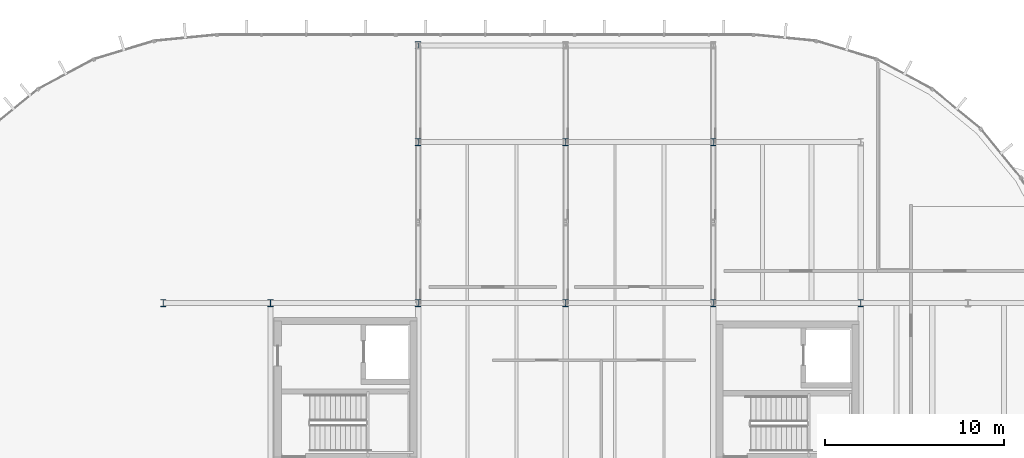
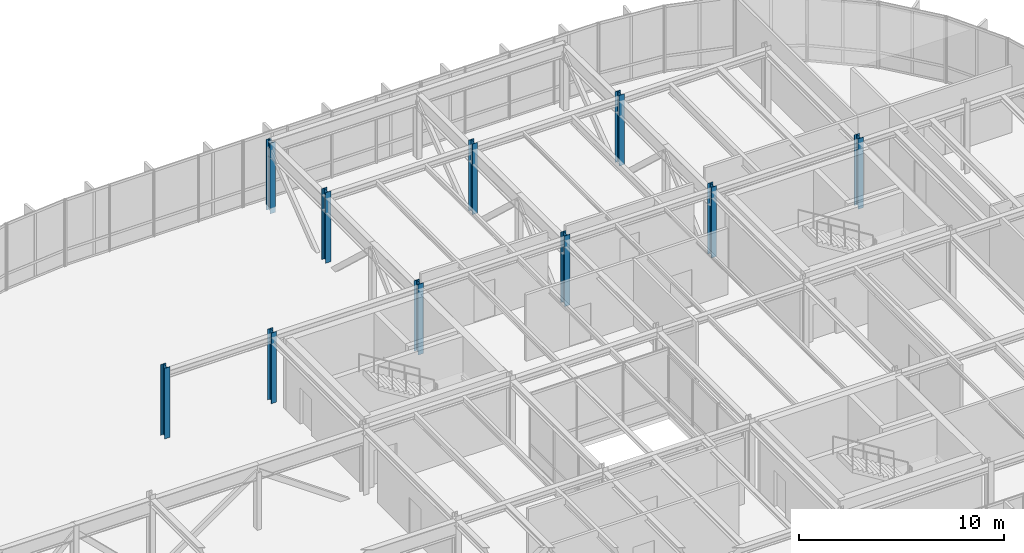
# One storey, part 3 of 29: 10 columns.
"""IFC4 building model written with IfcOpenShell, lengths in metres."""

import ifcopenshell
import ifcopenshell.guid

model = None  # the IFC model being written
_history = None  # IfcOwnerHistory: only IFC2X3 demands one
_inside = {}  # id of a spatial element -> (the spatial element, [elements in it])
_under = {}  # id of a project, library or spatial element -> (it, [spatial elements below it])
_declared = {}  # id of a project -> (the project, [libraries it declares])
_typed = {}  # id of a type object -> (the type object, [elements of that type])
_made_of = {}  # id of a material, layer set ... -> (it, [elements and type objects made of it])


def new_model(schema):
    """Start an empty IFC model of exactly this schema.

    Asked for "IFC4X3", IfcOpenShell would pick the latest addendum, in which some entities
    have other attributes; the version numbers below select the first issue.
    IFC2X3 requires an IfcOwnerHistory on every rooted entity: one is made here for all.
    """
    global model, _history
    if schema == "IFC4X3":
        model = ifcopenshell.file(schema_version=(4, 3, 0, 0))
    else:
        model = ifcopenshell.file(schema=schema)
    _inside.clear()
    _under.clear()
    _declared.clear()
    _typed.clear()
    _made_of.clear()
    _history = None
    if model.schema == "IFC2X3":
        org = make("IfcOrganization", Name="unknown")
        user = make(
            "IfcPersonAndOrganization",
            ThePerson=make("IfcPerson", FamilyName="unknown"),
            TheOrganization=org,
        )
        app = make(
            "IfcApplication",
            ApplicationDeveloper=org,
            Version="unknown",
            ApplicationFullName="unknown",
            ApplicationIdentifier="unknown",
        )
        _history = make(
            "IfcOwnerHistory",
            OwningUser=user,
            OwningApplication=app,
            ChangeAction="ADDED",
            CreationDate=0,
        )
    return model


def make(cls, **values):
    """One entity of the class cls with the attributes given. An attribute that is None is left unset."""
    return model.create_entity(
        cls, **{name: value for name, value in values.items() if value is not None}
    )


def rooted(cls, **values):
    """An entity with a GlobalId (a new one), such as an element, a storey or a relation."""
    return make(cls, GlobalId=ifcopenshell.guid.new(), OwnerHistory=_history, **values)


def si_unit(unit_type, name, prefix=None):
    """IfcSIUnit, for example si_unit("LENGTHUNIT", "METRE", prefix="MILLI")."""
    return make("IfcSIUnit", UnitType=unit_type, Prefix=prefix, Name=name)


def assignment(units):
    """IfcUnitAssignment: the units of a project."""
    return None if units is None else make("IfcUnitAssignment", Units=units)


def point(xyz):
    """IfcCartesianPoint."""
    return None if xyz is None else make("IfcCartesianPoint", Coordinates=xyz)


def direction(xyz):
    """IfcDirection."""
    return None if xyz is None else make("IfcDirection", DirectionRatios=xyz)


def frame(location, z_axis=None, x_axis=None):
    """IfcAxis2Placement3D, a coordinate frame: its origin and axes. An axis left out is left unset."""
    return make(
        "IfcAxis2Placement3D",
        Location=point(location),
        Axis=direction(z_axis),
        RefDirection=direction(x_axis),
    )


def frame_2d(location, x_axis=None):
    """IfcAxis2Placement2D, a coordinate frame in the plane: its origin and x axis."""
    return make(
        "IfcAxis2Placement2D", Location=point(location), RefDirection=direction(x_axis)
    )


def origin():
    """The frame at (0, 0, 0) with its axes left unset."""
    return frame((0.0, 0.0, 0.0))


def origin_2d():
    """The frame at (0, 0) in the plane with its x axis left unset."""
    return frame_2d((0.0, 0.0))


def place(relative_to, where):
    """IfcLocalPlacement: puts the frame where relative to a parent placement (None: the world)."""
    return make(
        "IfcLocalPlacement", PlacementRelTo=relative_to, RelativePlacement=where
    )


def context(
    kind, dimensions, precision=None, world=None, true_north=None, identifier=None
):
    """IfcGeometricRepresentationContext, for example the 3D "Model" context."""
    return make(
        "IfcGeometricRepresentationContext",
        ContextIdentifier=identifier,
        ContextType=kind,
        CoordinateSpaceDimension=dimensions,
        Precision=precision,
        WorldCoordinateSystem=world,
        TrueNorth=true_north,
    )


def subcontext(parent, identifier, kind, view, scale=None):
    """IfcGeometricRepresentationSubContext, for example "Body" below "Model"."""
    return make(
        "IfcGeometricRepresentationSubContext",
        ContextIdentifier=identifier,
        ContextType=kind,
        ParentContext=parent,
        TargetScale=scale,
        TargetView=view,
    )


def project(units=None, contexts=None):
    """IfcProject with its units and contexts."""
    return rooted(
        "IfcProject",
        Name="project",
        RepresentationContexts=contexts,
        UnitsInContext=assignment(units),
    )


def spatial(cls, under=None, at=None, **own):
    """A site, building, storey or space (cls), placed at a placement, below another one or the project."""
    s = rooted(cls, ObjectPlacement=at, **own)
    if under is not None:
        _under.setdefault(under.id(), (under, []))[1].append(s)
    return s


def profile(cls, at=None, kind="AREA", **sizes):
    """A parametric profile (cls). Its sizes go by their IFC names, for example OverallWidth=200.0."""
    return make(cls, ProfileType=kind, Position=at, **sizes)


def i_section(**sizes):
    """IfcIShapeProfileDef."""
    return profile("IfcIShapeProfileDef", **sizes)


def extrude(swept, where, along, depth):
    """IfcExtrudedAreaSolid: the profile swept, set in the frame where, extruded along a direction by depth."""
    return make(
        "IfcExtrudedAreaSolid",
        SweptArea=swept,
        Position=where,
        ExtrudedDirection=direction(along),
        Depth=depth,
    )


def shape(context_of_items, identifier, shape_type, items):
    """IfcShapeRepresentation: the items that make up one representation, for example the "Body"."""
    return make(
        "IfcShapeRepresentation",
        ContextOfItems=context_of_items,
        RepresentationIdentifier=identifier,
        RepresentationType=shape_type,
        Items=items,
    )


def material(Name=None, Category=None):
    """IfcMaterial."""
    return make("IfcMaterial", Name=Name, Category=Category)


def material_profile(
    of_material, cross_section, Name=None, Category=None, Priority=None
):
    """IfcMaterialProfile: a cross section and its material."""
    return make(
        "IfcMaterialProfile",
        Name=Name,
        Material=of_material,
        Profile=cross_section,
        Priority=Priority,
        Category=Category,
    )


def profile_set(profiles, Name=None, composite=None):
    """IfcMaterialProfileSet."""
    return make(
        "IfcMaterialProfileSet",
        Name=Name,
        MaterialProfiles=profiles,
        CompositeProfile=composite,
    )


def made_of(thing, what):
    """Note that an element or type object is made of a material, layer set ...; save() writes the relation."""
    if what is not None:
        _made_of.setdefault(what.id(), (what, []))[1].append(thing)
    return thing


def type_object(cls, material=None, **own):
    """A type object (cls), such as IfcWallType, which elements share."""
    return made_of(rooted(cls, **own), material)


def element(
    cls,
    number,
    at=None,
    inside=None,
    cuts=None,
    type_object=None,
    material=None,
    context=None,
    identifier="Body",
    shape_type=None,
    held_by="IfcProductDefinitionShape",
    body=None,
    shapes=None,
    **own,
):
    """One element of the class cls, such as IfcWall. Its Tag is "e" and its number.

    at: its placement. inside: the storey or other place that contains it. cuts: it is an
    opening in that element (IfcRelVoidsElement). A single representation is given by context,
    identifier, shape_type and body (its items); several are given by shapes. held_by: the class
    of the entity that holds the representations. save() writes the other relations.
    """
    e = rooted(cls, Tag="e%d" % number, ObjectPlacement=at, **own)
    if body is not None:
        shapes = [shape(context, identifier, shape_type, body)]
    if shapes is not None:
        e.Representation = make(held_by, Representations=shapes)
    if inside is not None:
        _inside.setdefault(inside.id(), (inside, []))[1].append(e)
    if cuts is not None:
        rooted(
            "IfcRelVoidsElement", RelatingBuildingElement=cuts, RelatedOpeningElement=e
        )
    if type_object is not None:
        _typed.setdefault(type_object.id(), (type_object, []))[1].append(e)
    return made_of(e, material)


def aggregate(whole, parts):
    """IfcRelAggregates: a whole, such as a stair, and the parts it consists of."""
    return rooted("IfcRelAggregates", RelatingObject=whole, RelatedObjects=parts)


def save(model, path):
    """Write the relations noted so far, then the file.

    IfcRelAggregates (storeys below a building ...), IfcRelContainedInSpatialStructure (elements
    in a storey), IfcRelDefinesByType, IfcRelAssociatesMaterial and IfcRelDeclares: one each for
    every whole, place, type object, material and project.
    """
    for whole, parts in _under.values():
        aggregate(whole, parts)
    for where, things in _inside.values():
        rooted(
            "IfcRelContainedInSpatialStructure",
            RelatedElements=things,
            RelatingStructure=where,
        )
    for kind, things in _typed.values():
        rooted("IfcRelDefinesByType", RelatedObjects=things, RelatingType=kind)
    for what, things in _made_of.values():
        rooted("IfcRelAssociatesMaterial", RelatedObjects=things, RelatingMaterial=what)
    for by, libraries in _declared.values():
        rooted("IfcRelDeclares", RelatingContext=by, RelatedDefinitions=libraries)
    model.write(path)


model = new_model("IFC4")

# Units and contexts
model_context = context("Model", 3, precision=1e-05, world=origin(), true_north=direction((0.0, 1.0)))
body_context = subcontext(model_context, "Body", "Model", "MODEL_VIEW")
ifc_project = project(units=[si_unit("LENGTHUNIT", "METRE"), si_unit("AREAUNIT", "SQUARE_METRE"), si_unit("VOLUMEUNIT", "CUBIC_METRE"), si_unit("PLANEANGLEUNIT", "RADIAN"), si_unit("MASSUNIT", "GRAM", prefix="KILO")], contexts=[model_context])

# Site, building, storey
site_placement = place(None, origin())
site = spatial("IfcSite", under=ifc_project, at=site_placement, CompositionType="ELEMENT")
building_placement = place(site_placement, origin())
building = spatial("IfcBuilding", under=site, at=building_placement, Name="Montealbar Specialist Clinic", CompositionType="ELEMENT")
storey_placement = place(building_placement, frame((0.0, 0.0, 22.199951171875)))
storey = spatial("IfcBuildingStorey", under=building, at=storey_placement, Name="L05", CompositionType="ELEMENT", Elevation=22.199951171875)

# Columns
ifc_material = material(Name="Steel S355", Category="steel")
ifc_material_profile_1 = material_profile(ifc_material, i_section(OverallWidth=0.300048828125, OverallDepth=0.389892578125, WebThickness=0.010986328125, FlangeThickness=0.01904296875, FilletRadius=0.027099609375, at=origin_2d()), Name="HEA 400", Category="steel")
ifc_profile_set_1 = profile_set([ifc_material_profile_1], Name="Steel S355")
column_type_1 = type_object("IfcColumnType", Name="COL-S-L05-STD", PredefinedType="COLUMN", material=ifc_profile_set_1)
for number, where, z_axis, x_axis, name in (
    (1, (60.0, 36.0, 0.0), (0.0, 0.0, 1.0), (1.0, 0.0, 0.0), "Column 8/E L05"),
    (2, (66.0, 36.0, 0.0), (0.0, 0.0, 1.0), (1.0, 0.0, 0.0), "Column 9/E L05"),
    (3, (74.25, 36.0, 0.0), (0.0, 0.0, 1.0), (1.0, 0.0, 0.0), "Column 10/E L05"),
    (4, (74.25, 45.0, 0.0), (0.0, 0.0, 1.0), (1.0, 0.0, 0.0), "Column 10/F L05"),
    (5, (82.5, 36.0, 0.0), (0.0, 0.0, 1.0), (1.0, 0.0, 0.0), "Column 11/E L05"),
    (6, (82.5, 45.0, 0.0), (0.0, 0.0, 1.0), (1.0, 0.0, 0.0), "Column 11/F L05"),
    (7, (90.75, 36.0, 0.0), (0.0, 0.0, 1.0), (1.0, 0.0, 0.0), "Column 12/E L05"),
    (8, (90.75, 45.0, 0.0), (0.0, 0.0, 1.0), (1.0, 0.0, 0.0), "Column 12/F L05"),
    (9, (99.0, 36.0, 0.0), (0.0, 0.0, 1.0), (1.0, 0.0, 0.0), "Column 13/E L05"),
):
    element("IfcColumn", number, at=place(storey_placement, frame(where, z_axis=z_axis, x_axis=x_axis)), inside=storey, type_object=column_type_1, Name=name, PredefinedType="COLUMN", context=body_context, shape_type="SweptSolid", body=[
        extrude(i_section(OverallWidth=0.300048828125, OverallDepth=0.389892578125, WebThickness=0.010986328125, FlangeThickness=0.01904296875, FilletRadius=0.027099609375, at=origin_2d()), origin(), (0.0, 0.0, 1.0), 4.199951171875),
    ])
ifc_material_profile_2 = material_profile(ifc_material, i_section(OverallWidth=0.300048828125, OverallDepth=0.389892578125, WebThickness=0.010986328125, FlangeThickness=0.01904296875, FilletRadius=0.027099609375, at=origin_2d()), Name="HEA 400", Category="steel")
ifc_profile_set_2 = profile_set([ifc_material_profile_2], Name="Steel S355")
column_type_2 = type_object("IfcColumnType", Name="COL-S-L05-STD-EXT", PredefinedType="COLUMN", material=ifc_profile_set_2)
column_placement = place(storey_placement, frame((74.25, 50.39990234375, -0.33984375), z_axis=(0.0, 0.0, 1.0), x_axis=(1.0, 0.0, 0.0)))
element("IfcColumn", 10, at=column_placement, inside=storey, type_object=column_type_2, Name="Column 10/F2 L05", PredefinedType="COLUMN", context=body_context, shape_type="SweptSolid", body=[
    extrude(i_section(OverallWidth=0.300048828125, OverallDepth=0.389892578125, WebThickness=0.010986328125, FlangeThickness=0.01904296875, FilletRadius=0.027099609375, at=origin_2d()), origin(), (0.0, 0.0, 1.0), 4.199951171875),
])

save(model, "model.ifc")
